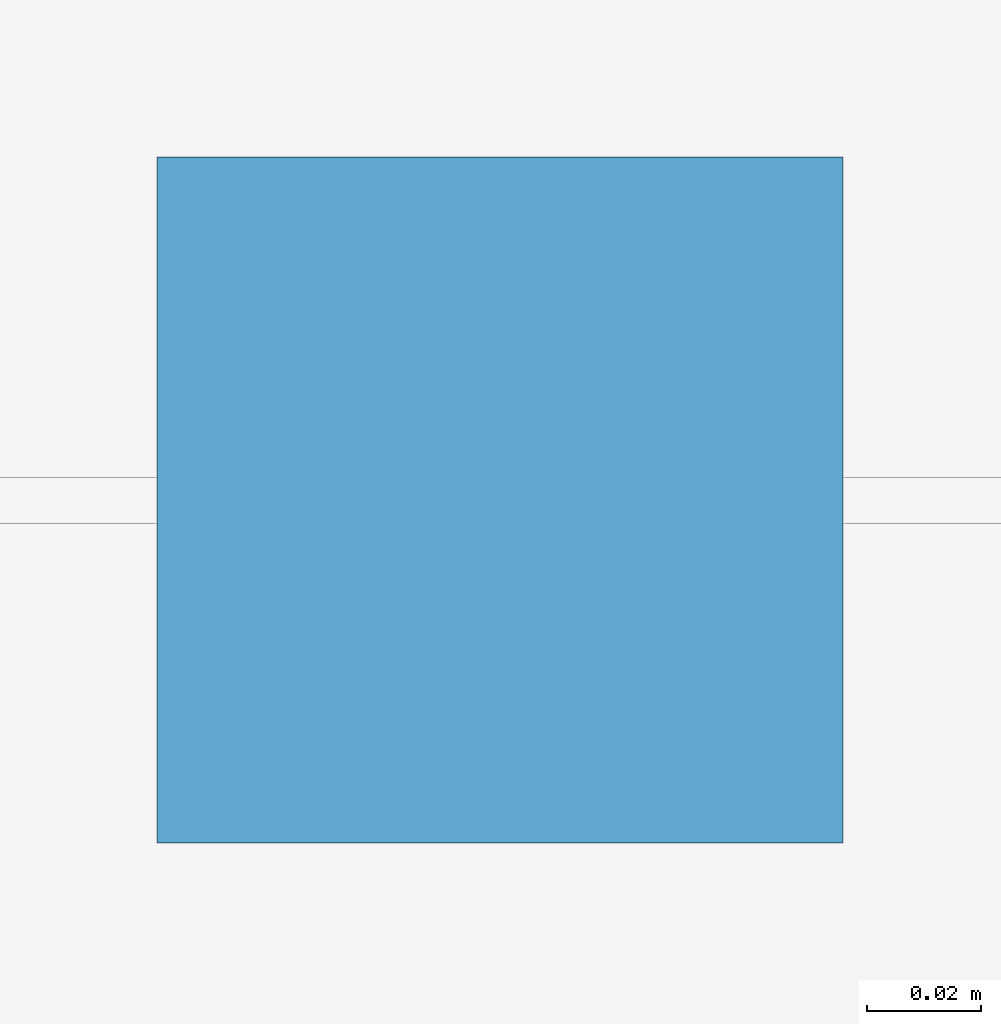
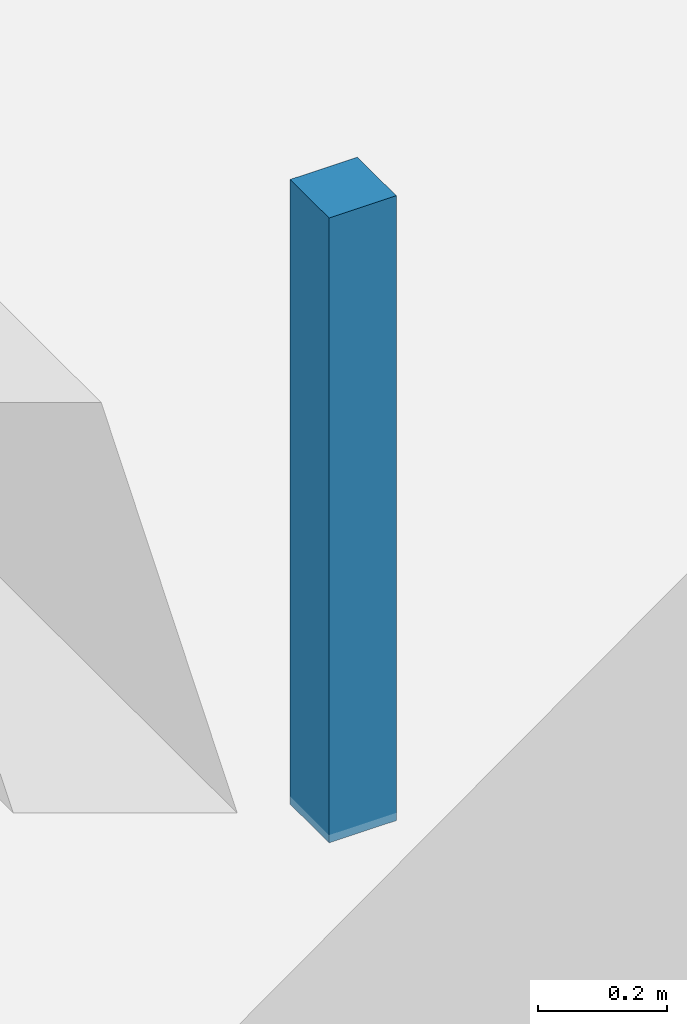
# One storey, part 19 of 28: 1 discrete accessory.
"""IFC4 building model written with IfcOpenShell, lengths in metres."""

import ifcopenshell
import ifcopenshell.guid

model = None  # the IFC model being written
_history = None  # IfcOwnerHistory: only IFC2X3 demands one
_inside = {}  # id of a spatial element -> (the spatial element, [elements in it])
_under = {}  # id of a project, library or spatial element -> (it, [spatial elements below it])
_declared = {}  # id of a project -> (the project, [libraries it declares])
_typed = {}  # id of a type object -> (the type object, [elements of that type])
_made_of = {}  # id of a material, layer set ... -> (it, [elements and type objects made of it])


def new_model(schema):
    """Start an empty IFC model of exactly this schema.

    Asked for "IFC4X3", IfcOpenShell would pick the latest addendum, in which some entities
    have other attributes; the version numbers below select the first issue.
    IFC2X3 requires an IfcOwnerHistory on every rooted entity: one is made here for all.
    """
    global model, _history
    if schema == "IFC4X3":
        model = ifcopenshell.file(schema_version=(4, 3, 0, 0))
    else:
        model = ifcopenshell.file(schema=schema)
    _inside.clear()
    _under.clear()
    _declared.clear()
    _typed.clear()
    _made_of.clear()
    _history = None
    if model.schema == "IFC2X3":
        org = make("IfcOrganization", Name="unknown")
        user = make(
            "IfcPersonAndOrganization",
            ThePerson=make("IfcPerson", FamilyName="unknown"),
            TheOrganization=org,
        )
        app = make(
            "IfcApplication",
            ApplicationDeveloper=org,
            Version="unknown",
            ApplicationFullName="unknown",
            ApplicationIdentifier="unknown",
        )
        _history = make(
            "IfcOwnerHistory",
            OwningUser=user,
            OwningApplication=app,
            ChangeAction="ADDED",
            CreationDate=0,
        )
    return model


def make(cls, **values):
    """One entity of the class cls with the attributes given. An attribute that is None is left unset."""
    return model.create_entity(
        cls, **{name: value for name, value in values.items() if value is not None}
    )


def rooted(cls, **values):
    """An entity with a GlobalId (a new one), such as an element, a storey or a relation."""
    return make(cls, GlobalId=ifcopenshell.guid.new(), OwnerHistory=_history, **values)


def si_unit(unit_type, name, prefix=None):
    """IfcSIUnit, for example si_unit("LENGTHUNIT", "METRE", prefix="MILLI")."""
    return make("IfcSIUnit", UnitType=unit_type, Prefix=prefix, Name=name)


def assignment(units):
    """IfcUnitAssignment: the units of a project."""
    return None if units is None else make("IfcUnitAssignment", Units=units)


def point(xyz):
    """IfcCartesianPoint."""
    return None if xyz is None else make("IfcCartesianPoint", Coordinates=xyz)


def direction(xyz):
    """IfcDirection."""
    return None if xyz is None else make("IfcDirection", DirectionRatios=xyz)


def frame(location, z_axis=None, x_axis=None):
    """IfcAxis2Placement3D, a coordinate frame: its origin and axes. An axis left out is left unset."""
    return make(
        "IfcAxis2Placement3D",
        Location=point(location),
        Axis=direction(z_axis),
        RefDirection=direction(x_axis),
    )


def frame_2d(location, x_axis=None):
    """IfcAxis2Placement2D, a coordinate frame in the plane: its origin and x axis."""
    return make(
        "IfcAxis2Placement2D", Location=point(location), RefDirection=direction(x_axis)
    )


def origin():
    """The frame at (0, 0, 0) with its axes left unset."""
    return frame((0.0, 0.0, 0.0))


def origin_2d():
    """The frame at (0, 0) in the plane with its x axis left unset."""
    return frame_2d((0.0, 0.0))


def place(relative_to, where):
    """IfcLocalPlacement: puts the frame where relative to a parent placement (None: the world)."""
    return make(
        "IfcLocalPlacement", PlacementRelTo=relative_to, RelativePlacement=where
    )


def context(
    kind, dimensions, precision=None, world=None, true_north=None, identifier=None
):
    """IfcGeometricRepresentationContext, for example the 3D "Model" context."""
    return make(
        "IfcGeometricRepresentationContext",
        ContextIdentifier=identifier,
        ContextType=kind,
        CoordinateSpaceDimension=dimensions,
        Precision=precision,
        WorldCoordinateSystem=world,
        TrueNorth=true_north,
    )


def subcontext(parent, identifier, kind, view, scale=None):
    """IfcGeometricRepresentationSubContext, for example "Body" below "Model"."""
    return make(
        "IfcGeometricRepresentationSubContext",
        ContextIdentifier=identifier,
        ContextType=kind,
        ParentContext=parent,
        TargetScale=scale,
        TargetView=view,
    )


def project(units=None, contexts=None):
    """IfcProject with its units and contexts."""
    return rooted(
        "IfcProject",
        Name="project",
        RepresentationContexts=contexts,
        UnitsInContext=assignment(units),
    )


def spatial(cls, under=None, at=None, **own):
    """A site, building, storey or space (cls), placed at a placement, below another one or the project."""
    s = rooted(cls, ObjectPlacement=at, **own)
    if under is not None:
        _under.setdefault(under.id(), (under, []))[1].append(s)
    return s


def profile(cls, at=None, kind="AREA", **sizes):
    """A parametric profile (cls). Its sizes go by their IFC names, for example OverallWidth=200.0."""
    return make(cls, ProfileType=kind, Position=at, **sizes)


def rectangle(**sizes):
    """IfcRectangleProfileDef."""
    return profile("IfcRectangleProfileDef", **sizes)


def extrude(swept, where, along, depth):
    """IfcExtrudedAreaSolid: the profile swept, set in the frame where, extruded along a direction by depth."""
    return make(
        "IfcExtrudedAreaSolid",
        SweptArea=swept,
        Position=where,
        ExtrudedDirection=direction(along),
        Depth=depth,
    )


def shape(context_of_items, identifier, shape_type, items):
    """IfcShapeRepresentation: the items that make up one representation, for example the "Body"."""
    return make(
        "IfcShapeRepresentation",
        ContextOfItems=context_of_items,
        RepresentationIdentifier=identifier,
        RepresentationType=shape_type,
        Items=items,
    )


def material(Name=None, Category=None):
    """IfcMaterial."""
    return make("IfcMaterial", Name=Name, Category=Category)


def made_of(thing, what):
    """Note that an element or type object is made of a material, layer set ...; save() writes the relation."""
    if what is not None:
        _made_of.setdefault(what.id(), (what, []))[1].append(thing)
    return thing


def type_object(cls, material=None, **own):
    """A type object (cls), such as IfcWallType, which elements share."""
    return made_of(rooted(cls, **own), material)


def element(
    cls,
    number,
    at=None,
    inside=None,
    cuts=None,
    type_object=None,
    material=None,
    context=None,
    identifier="Body",
    shape_type=None,
    held_by="IfcProductDefinitionShape",
    body=None,
    shapes=None,
    **own,
):
    """One element of the class cls, such as IfcWall. Its Tag is "e" and its number.

    at: its placement. inside: the storey or other place that contains it. cuts: it is an
    opening in that element (IfcRelVoidsElement). A single representation is given by context,
    identifier, shape_type and body (its items); several are given by shapes. held_by: the class
    of the entity that holds the representations. save() writes the other relations.
    """
    e = rooted(cls, Tag="e%d" % number, ObjectPlacement=at, **own)
    if body is not None:
        shapes = [shape(context, identifier, shape_type, body)]
    if shapes is not None:
        e.Representation = make(held_by, Representations=shapes)
    if inside is not None:
        _inside.setdefault(inside.id(), (inside, []))[1].append(e)
    if cuts is not None:
        rooted(
            "IfcRelVoidsElement", RelatingBuildingElement=cuts, RelatedOpeningElement=e
        )
    if type_object is not None:
        _typed.setdefault(type_object.id(), (type_object, []))[1].append(e)
    return made_of(e, material)


def aggregate(whole, parts):
    """IfcRelAggregates: a whole, such as a stair, and the parts it consists of."""
    return rooted("IfcRelAggregates", RelatingObject=whole, RelatedObjects=parts)


def save(model, path):
    """Write the relations noted so far, then the file.

    IfcRelAggregates (storeys below a building ...), IfcRelContainedInSpatialStructure (elements
    in a storey), IfcRelDefinesByType, IfcRelAssociatesMaterial and IfcRelDeclares: one each for
    every whole, place, type object, material and project.
    """
    for whole, parts in _under.values():
        aggregate(whole, parts)
    for where, things in _inside.values():
        rooted(
            "IfcRelContainedInSpatialStructure",
            RelatedElements=things,
            RelatingStructure=where,
        )
    for kind, things in _typed.values():
        rooted("IfcRelDefinesByType", RelatedObjects=things, RelatingType=kind)
    for what, things in _made_of.values():
        rooted("IfcRelAssociatesMaterial", RelatedObjects=things, RelatingMaterial=what)
    for by, libraries in _declared.values():
        rooted("IfcRelDeclares", RelatingContext=by, RelatedDefinitions=libraries)
    model.write(path)


model = new_model("IFC4")

# Units and contexts
model_context = context("Model", 3, precision=1e-05, world=origin(), true_north=direction((0.0, 1.0)))
body_context = subcontext(model_context, "Body", "Model", "MODEL_VIEW")
ifc_project = project(units=[si_unit("LENGTHUNIT", "METRE"), si_unit("AREAUNIT", "SQUARE_METRE"), si_unit("VOLUMEUNIT", "CUBIC_METRE"), si_unit("PLANEANGLEUNIT", "RADIAN"), si_unit("MASSUNIT", "GRAM", prefix="KILO")], contexts=[model_context])

# Site, building, storey
site_placement = place(None, origin())
site = spatial("IfcSite", under=ifc_project, at=site_placement, CompositionType="ELEMENT")
building_placement = place(site_placement, origin())
building = spatial("IfcBuilding", under=site, at=building_placement, Name="Fikremerkos Civic Library", CompositionType="ELEMENT")
storey_placement = place(building_placement, frame((0.0, 0.0, -4.199951171875)))
storey = spatial("IfcBuildingStorey", under=building, at=storey_placement, Name="B01", CompositionType="ELEMENT", Elevation=-4.199951171875)

# Discrete accessory
ifc_material = material(Name="Galvanized Steel S275", Category="steel")
discrete_accessory_type = type_object("IfcDiscreteAccessoryType", Name="Ceiling hanger bracket BRK-01", PredefinedType="BRACKET", material=ifc_material)
discrete_accessory_placement = place(storey_placement, frame((138.35009765625, 58.800048828125, 2.759765625), z_axis=(0.0, 0.0, 1.0), x_axis=(1.0, 0.0, 0.0)))
element("IfcDiscreteAccessory", 1, at=discrete_accessory_placement, inside=storey, type_object=discrete_accessory_type, Name="Acoustic ceiling hanger bracket #15", PredefinedType="BRACKET", context=body_context, shape_type="SweptSolid", body=[
    extrude(rectangle(XDim=0.1201171875, YDim=0.1201171875, at=origin_2d()), origin(), (0.0, 0.0, 1.0), 1.179931640625),
])

save(model, "model.ifc")
